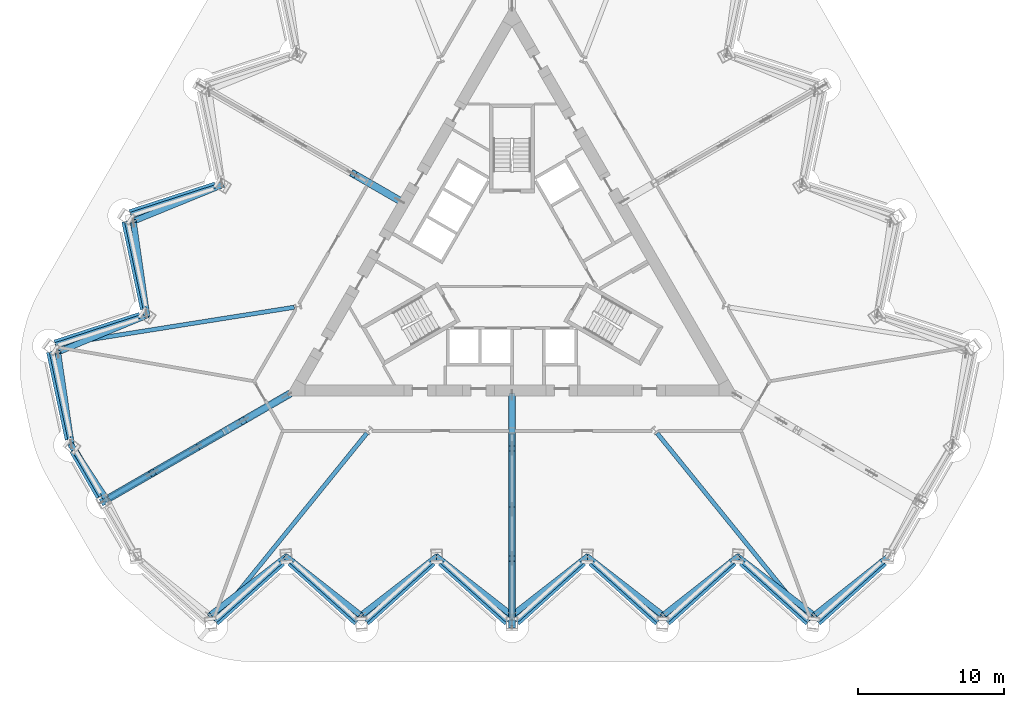
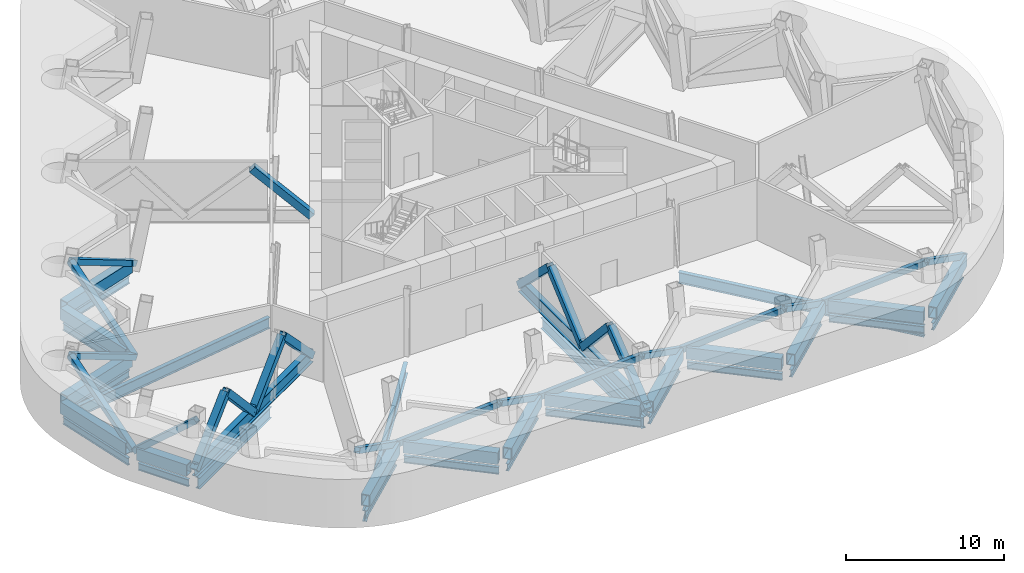
# One storey, part 2 of 13: 39 members, 19 beams.
"""IFC4 building model written with IfcOpenShell, lengths in metres."""

from ifc_helpers import new_model, si_unit, direction, frame, origin, origin_2d, place, context, subcontext, project, spatial, hollow_rectangle, i_section, extrude, material, material_profile, profile_set, type_object, element, save


model = new_model("IFC4")

# Units and contexts
model_context = context("Model", 3, precision=1e-05, world=origin(), true_north=direction((0.0, 1.0)))
body_context = subcontext(model_context, "Body", "Model", "MODEL_VIEW")
ifc_project = project(units=[si_unit("LENGTHUNIT", "METRE"), si_unit("AREAUNIT", "SQUARE_METRE"), si_unit("VOLUMEUNIT", "CUBIC_METRE"), si_unit("PLANEANGLEUNIT", "RADIAN"), si_unit("MASSUNIT", "GRAM", prefix="KILO")], contexts=[model_context])

# Site, building, storey
site_placement = place(None, origin())
site = spatial("IfcSite", under=ifc_project, at=site_placement, CompositionType="ELEMENT")
building_placement = place(site_placement, origin())
building = spatial("IfcBuilding", under=site, at=building_placement, Name="Cormorant Prow Tower", CompositionType="ELEMENT")
storey_placement = place(building_placement, frame((0.0, 0.0, 226.0)))
storey = spatial("IfcBuildingStorey", under=building, at=storey_placement, Name="L49", CompositionType="ELEMENT", Elevation=226.0)

# Members
ifc_material_1 = material(Name="Structural steel ASTM A572 Gr 50", Category="steel")
ifc_material_profile_1 = material_profile(ifc_material_1, hollow_rectangle(XDim=0.60009765625, YDim=0.89990234375, WallThickness=0.06005859375, at=origin_2d()), Name="Box 900x600x60")
ifc_profile_set_1 = profile_set([ifc_material_profile_1], Name="Structural steel ASTM A572 Gr 50")
member_type_1 = type_object("IfcMemberType", Name="Belt truss bottom chord 900x600x60", PredefinedType="CHORD", material=ifc_profile_set_1)
for number, where, z_axis, x_axis, name in (
    (1, (-20.361572265625, -24.453857421875, 0.449951171875), (0.743138178716, 0.669137988261, 0.0), (-0.669137988261, 0.743138178716, 0.0), "Belt truss bottom chord S01-S02 L49"),
    (2, (-15.19677734375, -20.3388671875, 0.449951171875), (0.743138178716, -0.669137988261, 0.0), (0.669137988261, 0.743138178716, 0.0), "Belt truss bottom chord S02-S03 L49"),
):
    element("IfcMember", number, at=place(storey_placement, frame(where, z_axis=z_axis, x_axis=x_axis)), inside=storey, type_object=member_type_1, Name=name, PredefinedType="CHORD", context=body_context, shape_type="SweptSolid", body=[
        extrude(hollow_rectangle(XDim=0.60009765625, YDim=0.89990234375, WallThickness=0.06005859375, at=origin_2d()), origin(), (0.0, 0.0, 1.0), 6.149658203125),
    ])
member_1_placement = place(storey_placement, frame((-10.0322265625, -24.453857421875, 0.449951171875), z_axis=(0.743155953285, 0.669118247469, 0.0), x_axis=(-0.669118247469, 0.743155953285, 0.0)))
element("IfcMember", 3, at=member_1_placement, inside=storey, type_object=member_type_1, Name="Belt truss bottom chord S03-S04 L49", PredefinedType="CHORD", context=body_context, shape_type="SweptSolid", body=[
    extrude(hollow_rectangle(XDim=0.60009765625, YDim=0.89990234375, WallThickness=0.06005859375, at=origin_2d()), origin(), (0.0, 0.0, 1.0), 6.14990234375),
])
for number, where, z_axis, x_axis, name in (
    (4, (-4.867431640625, -20.3388671875, 0.449951171875), (0.743138178716, -0.669137988261, 0.0), (0.669137988261, 0.743138178716, 0.0), "Belt truss bottom chord S04-S05 L49"),
    (5, (0.29736328125, -24.453857421875, 0.449951171875), (0.743138178716, 0.669137988261, 0.0), (-0.669137988261, 0.743138178716, 0.0), "Belt truss bottom chord S05-S06 L49"),
):
    element("IfcMember", number, at=place(storey_placement, frame(where, z_axis=z_axis, x_axis=x_axis)), inside=storey, type_object=member_type_1, Name=name, PredefinedType="CHORD", context=body_context, shape_type="SweptSolid", body=[
        extrude(hollow_rectangle(XDim=0.60009765625, YDim=0.89990234375, WallThickness=0.06005859375, at=origin_2d()), origin(), (0.0, 0.0, 1.0), 6.149658203125),
    ])
member_2_placement = place(storey_placement, frame((5.4619140625, -20.3388671875, 0.449951171875), z_axis=(0.743155953285, -0.669118247469, 0.0), x_axis=(0.669118247469, 0.743155953285, 0.0)))
element("IfcMember", 6, at=member_2_placement, inside=storey, type_object=member_type_1, Name="Belt truss bottom chord S06-S07 L49", PredefinedType="CHORD", context=body_context, shape_type="SweptSolid", body=[
    extrude(hollow_rectangle(XDim=0.60009765625, YDim=0.89990234375, WallThickness=0.06005859375, at=origin_2d()), origin(), (0.0, 0.0, 1.0), 6.14990234375),
])
for number, where, z_axis, x_axis, name in (
    (7, (10.626708984375, -24.453857421875, 0.449951171875), (0.743138178716, 0.669137988261, 0.0), (-0.669137988261, 0.743138178716, 0.0), "Belt truss bottom chord S07-S08 L49"),
    (8, (15.79150390625, -20.3388671875, 0.449951171875), (0.743138178716, -0.669137988261, 0.0), (0.669137988261, 0.743138178716, 0.0), "Belt truss bottom chord S08-S09 L49"),
):
    element("IfcMember", number, at=place(storey_placement, frame(where, z_axis=z_axis, x_axis=x_axis)), inside=storey, type_object=member_type_1, Name=name, PredefinedType="CHORD", context=body_context, shape_type="SweptSolid", body=[
        extrude(hollow_rectangle(XDim=0.60009765625, YDim=0.89990234375, WallThickness=0.06005859375, at=origin_2d()), origin(), (0.0, 0.0, 1.0), 6.149658203125),
    ])
for number, where, z_axis, x_axis, name in (
    (9, (20.9560546875, -24.453857421875, 0.449951171875), (0.743155953285, 0.669118247469, 0.0), (-0.669118247469, 0.743155953285, 0.0), "Belt truss bottom chord S09-ESE00 L49"),
    (10, (-20.344970703125, 5.439208984375, 0.449951171875), (-0.951057696564, -0.309013361859, 0.0), (0.309013361859, -0.951057696564, 0.0), "Belt truss bottom chord WNW06-WNW07 L49"),
):
    element("IfcMember", number, at=place(storey_placement, frame(where, z_axis=z_axis, x_axis=x_axis)), inside=storey, type_object=member_type_1, Name=name, PredefinedType="CHORD", context=body_context, shape_type="SweptSolid", body=[
        extrude(hollow_rectangle(XDim=0.60009765625, YDim=0.89990234375, WallThickness=0.06005859375, at=origin_2d()), origin(), (0.0, 0.0, 1.0), 6.14990234375),
    ])
member_3_placement = place(storey_placement, frame((-26.490966796875, 3.02392578125, 0.449951171875), z_axis=(0.207904811195, -0.978149063018, 0.0), x_axis=(0.978149063018, 0.207904811195, 0.0)))
element("IfcMember", 11, at=member_3_placement, inside=storey, type_object=member_type_1, Name="Belt truss bottom chord WNW07-WNW08 L49", PredefinedType="CHORD", context=body_context, shape_type="SweptSolid", body=[
    extrude(hollow_rectangle(XDim=0.60009765625, YDim=0.89990234375, WallThickness=0.06005859375, at=origin_2d()), origin(), (0.0, 0.0, 1.0), 6.149658203125),
])
member_4_placement = place(storey_placement, frame((-25.509765625, -3.50634765625, 0.449951171875), z_axis=(-0.951057696564, -0.309013361859, 0.0), x_axis=(0.309013361859, -0.951057696564, 0.0)))
element("IfcMember", 12, at=member_4_placement, inside=storey, type_object=member_type_1, Name="Belt truss bottom chord WNW08-WNW09 L49", PredefinedType="CHORD", context=body_context, shape_type="SweptSolid", body=[
    extrude(hollow_rectangle(XDim=0.60009765625, YDim=0.89990234375, WallThickness=0.06005859375, at=origin_2d()), origin(), (0.0, 0.0, 1.0), 6.14990234375),
])
member_5_placement = place(storey_placement, frame((-31.65576171875, -5.921630859375, 0.449951171875), z_axis=(0.207904811195, -0.978149063018, 0.0), x_axis=(0.978149063018, 0.207904811195, 0.0)))
element("IfcMember", 13, at=member_5_placement, inside=storey, type_object=member_type_1, Name="Belt truss bottom chord WNW09-WSW00 L49", PredefinedType="CHORD", context=body_context, shape_type="SweptSolid", body=[
    extrude(hollow_rectangle(XDim=0.60009765625, YDim=0.89990234375, WallThickness=0.06005859375, at=origin_2d()), origin(), (0.0, 0.0, 1.0), 6.149658203125),
])
member_6_placement = place(storey_placement, frame((-30.093994140625, -12.674560546875, 0.449951171875), z_axis=(0.499994986164, -0.866028298505, 0.0), x_axis=(0.866028298505, 0.499994986164, 0.0)))
element("IfcMember", 14, at=member_6_placement, inside=storey, type_object=member_type_1, Name="Belt truss bottom chord WSW00-WSW01 L49", PredefinedType="CHORD", context=body_context, shape_type="SweptSolid", body=[
    extrude(hollow_rectangle(XDim=0.60009765625, YDim=0.89990234375, WallThickness=0.06005859375, at=origin_2d()), origin(), (0.0, 0.0, 1.0), 3.67041015625),
])
ifc_material_2 = material(Name="Structural steel ASTM A500 Gr C", Category="steel")
ifc_material_profile_2 = material_profile(ifc_material_2, hollow_rectangle(XDim=0.406494140625, YDim=0.406494140625, WallThickness=0.014892578125, at=origin_2d()), Name="HSS16x16x5/8")
ifc_profile_set_2 = profile_set([ifc_material_profile_2], Name="Structural steel ASTM A500 Gr C")
member_type_2 = type_object("IfcMemberType", Name="Belt truss diagonal HSS16x16x5/8", PredefinedType="BRACE", material=ifc_profile_set_2)
member_7_placement = place(storey_placement, frame((-15.50048828125, -19.994140625, 0.449951171875), z_axis=(-0.689456369569, -0.530044492212, 0.493662587944), x_axis=(0.609489271848, -0.792794316013, 0.0)))
element("IfcMember", 15, at=member_7_placement, inside=storey, type_object=member_type_2, Name="Belt truss diagonal S01-S02 L49", PredefinedType="BRACE", context=body_context, shape_type="SweptSolid", body=[
    extrude(hollow_rectangle(XDim=0.406494140625, YDim=0.406494140625, WallThickness=0.014892578125, at=origin_2d()), origin(), (0.0, 0.0, 1.0), 7.59619140625),
])
member_8_placement = place(storey_placement, frame((-5.166748046875, -19.994140625, 0.449951171875), z_axis=(-0.687016586684, -0.531738199155, 0.49524003996), x_axis=(0.61206839215, -0.790804832642, 0.0)))
element("IfcMember", 16, at=member_8_placement, inside=storey, type_object=member_type_2, Name="Belt truss diagonal S03-S04 L49", PredefinedType="BRACE", context=body_context, shape_type="SweptSolid", body=[
    extrude(hollow_rectangle(XDim=0.406494140625, YDim=0.406494140625, WallThickness=0.014892578125, at=origin_2d()), origin(), (0.0, 0.0, 1.0), 7.572021484375),
])
member_9_placement = place(storey_placement, frame((5.166748046875, -19.994140625, 0.449951171875), z_axis=(-0.684536156706, -0.533448485394, 0.49683293328), x_axis=(0.614680898541, -0.788775882599, 0.0)))
element("IfcMember", 17, at=member_9_placement, inside=storey, type_object=member_type_2, Name="Belt truss diagonal S05-S06 L49", PredefinedType="BRACE", context=body_context, shape_type="SweptSolid", body=[
    extrude(hollow_rectangle(XDim=0.406494140625, YDim=0.406494140625, WallThickness=0.014892578125, at=origin_2d()), origin(), (0.0, 0.0, 1.0), 7.5478515625),
])
member_10_placement = place(storey_placement, frame((15.50048828125, -19.994140625, 0.449951171875), z_axis=(-0.682049075236, -0.535151688891, 0.498419230012), x_axis=(0.617290783123, -0.786735081886, 0.0)))
element("IfcMember", 18, at=member_10_placement, inside=storey, type_object=member_type_2, Name="Belt truss diagonal S07-S08 L49", PredefinedType="BRACE", context=body_context, shape_type="SweptSolid", body=[
    extrude(hollow_rectangle(XDim=0.406494140625, YDim=0.406494140625, WallThickness=0.014892578125, at=origin_2d()), origin(), (0.0, 0.0, 1.0), 7.523681640625),
])
member_11_placement = place(storey_placement, frame((25.834228515625, -19.994140625, 0.449951171875), z_axis=(-0.679538100871, -0.536859514231, 0.500009831348), x_axis=(0.619916033243, -0.78466815389, 0.0)))
element("IfcMember", 19, at=member_11_placement, inside=storey, type_object=member_type_2, Name="Belt truss diagonal S09-ESE00 L49", PredefinedType="BRACE", context=body_context, shape_type="SweptSolid", body=[
    extrude(hollow_rectangle(XDim=0.406494140625, YDim=0.406494140625, WallThickness=0.014892578125, at=origin_2d()), origin(), (0.0, 0.0, 1.0), 7.499755859375),
])
member_12_placement = place(storey_placement, frame((-25.065673828125, -3.4267578125, 0.449951171875), z_axis=(-0.122430667764, 0.858247742295, 0.498419045017), x_axis=(-0.9899779202, -0.141222227416, 0.0)))
element("IfcMember", 20, at=member_12_placement, inside=storey, type_object=member_type_2, Name="Belt truss diagonal WNW07-WNW08 L49", PredefinedType="BRACE", context=body_context, shape_type="SweptSolid", body=[
    extrude(hollow_rectangle(XDim=0.406494140625, YDim=0.406494140625, WallThickness=0.014892578125, at=origin_2d()), origin(), (0.0, 0.0, 1.0), 7.523681640625),
])
member_13_placement = place(storey_placement, frame((-30.232666015625, -12.3759765625, 0.449951171875), z_axis=(-0.125166195537, 0.856924559511, 0.500013722614), x_axis=(-0.989500302737, -0.144530795625, 0.0)))
element("IfcMember", 21, at=member_13_placement, inside=storey, type_object=member_type_2, Name="Belt truss diagonal WNW09-WSW00 L49", PredefinedType="BRACE", context=body_context, shape_type="SweptSolid", body=[
    extrude(hollow_rectangle(XDim=0.406494140625, YDim=0.406494140625, WallThickness=0.014892578125, at=origin_2d()), origin(), (0.0, 0.0, 1.0), 7.499755859375),
])
ifc_material_3 = material(Name="Structural steel ASTM A500 Gr C", Category="steel")
ifc_material_profile_3 = material_profile(ifc_material_3, hollow_rectangle(XDim=0.406494140625, YDim=0.406494140625, WallThickness=0.014892578125, at=origin_2d()), Name="HSS16x16x5/8")
ifc_profile_set_3 = profile_set([ifc_material_profile_3], Name="Structural steel ASTM A500 Gr C")
member_type_3 = type_object("IfcMemberType", Name="Belt truss strut HSS16x16x5/8", PredefinedType="STRUT", material=ifc_profile_set_3)
member_14_placement = place(storey_placement, frame((-15.50048828125, -19.994140625, 0.449951171875), z_axis=(0.682049075236, -0.535151688891, 0.498419230012), x_axis=(0.617290783123, 0.786735081886, 0.0)))
element("IfcMember", 22, at=member_14_placement, inside=storey, type_object=member_type_3, Name="Belt truss strut S02-S03 L49", PredefinedType="STRUT", context=body_context, shape_type="SweptSolid", body=[
    extrude(hollow_rectangle(XDim=0.406494140625, YDim=0.406494140625, WallThickness=0.014892578125, at=origin_2d()), origin(), (0.0, 0.0, 1.0), 7.523681640625),
])
member_15_placement = place(storey_placement, frame((-5.166748046875, -19.994140625, 0.449951171875), z_axis=(0.684536156706, -0.533448485394, 0.49683293328), x_axis=(0.614680898541, 0.788775882599, 0.0)))
element("IfcMember", 23, at=member_15_placement, inside=storey, type_object=member_type_3, Name="Belt truss strut S04-S05 L49", PredefinedType="STRUT", context=body_context, shape_type="SweptSolid", body=[
    extrude(hollow_rectangle(XDim=0.406494140625, YDim=0.406494140625, WallThickness=0.014892578125, at=origin_2d()), origin(), (0.0, 0.0, 1.0), 7.5478515625),
])
member_16_placement = place(storey_placement, frame((5.166748046875, -19.994140625, 0.449951171875), z_axis=(0.687016586684, -0.531738199155, 0.49524003996), x_axis=(0.61206839215, 0.790804832642, 0.0)))
element("IfcMember", 24, at=member_16_placement, inside=storey, type_object=member_type_3, Name="Belt truss strut S06-S07 L49", PredefinedType="STRUT", context=body_context, shape_type="SweptSolid", body=[
    extrude(hollow_rectangle(XDim=0.406494140625, YDim=0.406494140625, WallThickness=0.014892578125, at=origin_2d()), origin(), (0.0, 0.0, 1.0), 7.572021484375),
])
member_17_placement = place(storey_placement, frame((15.50048828125, -19.994140625, 0.449951171875), z_axis=(0.689456369569, -0.530044492212, 0.493662587944), x_axis=(0.609489271848, 0.792794316013, 0.0)))
element("IfcMember", 25, at=member_17_placement, inside=storey, type_object=member_type_3, Name="Belt truss strut S08-S09 L49", PredefinedType="STRUT", context=body_context, shape_type="SweptSolid", body=[
    extrude(hollow_rectangle(XDim=0.406494140625, YDim=0.406494140625, WallThickness=0.014892578125, at=origin_2d()), origin(), (0.0, 0.0, 1.0), 7.59619140625),
])
member_18_placement = place(storey_placement, frame((-19.89892578125, 5.5224609375, 0.449951171875), z_axis=(-0.804003782505, -0.329101163299, 0.495247758232), x_axis=(0.37882070608, -0.925470081983, 0.0)))
element("IfcMember", 26, at=member_18_placement, inside=storey, type_object=member_type_3, Name="Belt truss strut WNW06-WNW07 L49", PredefinedType="STRUT", context=body_context, shape_type="SweptSolid", body=[
    extrude(hollow_rectangle(XDim=0.406494140625, YDim=0.406494140625, WallThickness=0.014892578125, at=origin_2d()), origin(), (0.0, 0.0, 1.0), 7.572021484375),
])
member_19_placement = place(storey_placement, frame((-25.065673828125, -3.4267578125, 0.449951171875), z_axis=(-0.803765773497, -0.332060776991, 0.493655975086), x_axis=(0.381829470105, -0.924232793056, 0.0)))
element("IfcMember", 27, at=member_19_placement, inside=storey, type_object=member_type_3, Name="Belt truss strut WNW08-WNW09 L49", PredefinedType="STRUT", context=body_context, shape_type="SweptSolid", body=[
    extrude(hollow_rectangle(XDim=0.406494140625, YDim=0.406494140625, WallThickness=0.014892578125, at=origin_2d()), origin(), (0.0, 0.0, 1.0), 7.596435546875),
])
member_20_placement = place(storey_placement, frame((-30.232666015625, -12.3759765625, 0.449951171875), z_axis=(0.416777436303, -0.637277851925, 0.648207920374), x_axis=(0.836912005991, 0.547337459186, 0.0)))
element("IfcMember", 28, at=member_20_placement, inside=storey, type_object=member_type_3, Name="Belt truss strut WSW00-WSW01 L49", PredefinedType="STRUT", context=body_context, shape_type="SweptSolid", body=[
    extrude(hollow_rectangle(XDim=0.406494140625, YDim=0.406494140625, WallThickness=0.014892578125, at=origin_2d()), origin(), (0.0, 0.0, 1.0), 5.78515625),
])
ifc_material_4 = material(Name="Structural steel ASTM A992 Gr 50", Category="steel")
ifc_material_profile_4 = material_profile(ifc_material_4, i_section(OverallWidth=0.39990234375, OverallDepth=1.000244140625, WebThickness=0.01904296875, FlangeThickness=0.0361328125, at=origin_2d()), Name="W40x249")
ifc_profile_set_4 = profile_set([ifc_material_profile_4], Name="Structural steel ASTM A992 Gr 50")
member_type_4 = type_object("IfcMemberType", Name="Outrigger chord W40x249", PredefinedType="CHORD", material=ifc_profile_set_4)
member_21_placement = place(storey_placement, frame((-15.3701171875, -8.873779296875, 0.500244140625), z_axis=(-0.866022701949, -0.500004679687, 0.0), x_axis=(0.500004679687, -0.866022701949, 0.0)))
element("IfcMember", 29, at=member_21_placement, inside=storey, type_object=member_type_4, Name="Outrigger bottom chord 3 L49", PredefinedType="CHORD", context=body_context, shape_type="SweptSolid", body=[
    extrude(i_section(OverallWidth=0.39990234375, OverallDepth=1.000244140625, WebThickness=0.01904296875, FlangeThickness=0.0361328125, at=origin_2d()), origin(), (0.0, 0.0, 1.0), 14.651611328125),
])
member_22_placement = place(storey_placement, frame((0.0, -8.798828125, 0.500244140625), z_axis=(0.0, -1.0, 0.0), x_axis=(1.0, 0.0, 0.0)))
element("IfcMember", 30, at=member_22_placement, inside=storey, type_object=member_type_4, Name="Outrigger bottom chord 4 L49", PredefinedType="CHORD", context=body_context, shape_type="SweptSolid", body=[
    extrude(i_section(OverallWidth=0.39990234375, OverallDepth=1.000244140625, WebThickness=0.01904296875, FlangeThickness=0.0361328125, at=origin_2d()), origin(), (0.0, 0.0, 1.0), 15.9228515625),
])
ifc_material_5 = material(Name="Structural steel ASTM A500 Gr C", Category="steel")
ifc_material_profile_5 = material_profile(ifc_material_5, hollow_rectangle(XDim=0.508056640625, YDim=0.508056640625, WallThickness=0.014892578125, at=origin_2d()), Name="HSS20x20x5/8")
ifc_profile_set_5 = profile_set([ifc_material_profile_5], Name="Structural steel ASTM A500 Gr C")
member_type_5 = type_object("IfcMemberType", Name="Outrigger diagonal HSS20x20x5/8", PredefinedType="BRACE", material=ifc_profile_set_5)
member_23_placement = place(storey_placement, frame((-7.6201171875, 4.3994140625, 0.500244140625), z_axis=(-0.62237767211, 0.359332400377, 0.695360524691), x_axis=(-0.500002592159, -0.866023907196, 0.0)))
element("IfcMember", 31, at=member_23_placement, inside=storey, type_object=member_type_5, Name="Outrigger diagonal 2.1 L49", PredefinedType="BRACE", context=body_context, shape_type="SweptSolid", body=[
    extrude(hollow_rectangle(XDim=0.508056640625, YDim=0.508056640625, WallThickness=0.014892578125, at=origin_2d()), origin(), (0.0, 0.0, 1.0), 5.24853515625),
])
member_24_placement = place(storey_placement, frame((-15.3701171875, -8.873779296875, 0.500244140625), z_axis=(-0.606559318342, -0.350213523303, 0.713748051786), x_axis=(0.500017494386, -0.86601530316, 0.0)))
element("IfcMember", 32, at=member_24_placement, inside=storey, type_object=member_type_5, Name="Outrigger diagonal 3.1 L49", PredefinedType="BRACE", context=body_context, shape_type="SweptSolid", body=[
    extrude(hollow_rectangle(XDim=0.508056640625, YDim=0.508056640625, WallThickness=0.014892578125, at=origin_2d()), origin(), (0.0, 0.0, 1.0), 5.11328125),
])
member_25_placement = place(storey_placement, frame((-21.71435546875, -12.536865234375, 0.500244140625), z_axis=(-0.592022041039, -0.341806556928, 0.729848053067), x_axis=(0.500002712257, -0.866023837856, 0.0)))
element("IfcMember", 33, at=member_25_placement, inside=storey, type_object=member_type_5, Name="Outrigger diagonal 3.3 L49", PredefinedType="BRACE", context=body_context, shape_type="SweptSolid", body=[
    extrude(hollow_rectangle(XDim=0.508056640625, YDim=0.508056640625, WallThickness=0.014892578125, at=origin_2d()), origin(), (0.0, 0.0, 1.0), 5.00048828125),
])
member_26_placement = place(storey_placement, frame((0.0, -8.798828125, 0.500244140625), z_axis=(0.0, -0.718685366654, 0.695335418167), x_axis=(1.0, 0.0, 0.0)))
element("IfcMember", 34, at=member_26_placement, inside=storey, type_object=member_type_5, Name="Outrigger diagonal 4.1 L49", PredefinedType="BRACE", context=body_context, shape_type="SweptSolid", body=[
    extrude(hollow_rectangle(XDim=0.508056640625, YDim=0.508056640625, WallThickness=0.014892578125, at=origin_2d()), origin(), (0.0, 0.0, 1.0), 5.248779296875),
])
member_27_placement = place(storey_placement, frame((0.0, -16.76025390625, 0.500244140625), z_axis=(0.0, -0.676734254482, 0.736227375755), x_axis=(1.0, 0.0, 0.0)))
element("IfcMember", 35, at=member_27_placement, inside=storey, type_object=member_type_5, Name="Outrigger diagonal 4.3 L49", PredefinedType="BRACE", context=body_context, shape_type="SweptSolid", body=[
    extrude(hollow_rectangle(XDim=0.508056640625, YDim=0.508056640625, WallThickness=0.014892578125, at=origin_2d()), origin(), (0.0, 0.0, 1.0), 4.957275390625),
])
ifc_material_6 = material(Name="Structural steel ASTM A500 Gr C", Category="steel")
ifc_material_profile_6 = material_profile(ifc_material_6, hollow_rectangle(XDim=0.508056640625, YDim=0.508056640625, WallThickness=0.014892578125, at=origin_2d()), Name="HSS20x20x5/8")
ifc_profile_set_6 = profile_set([ifc_material_profile_6], Name="Structural steel ASTM A500 Gr C")
member_type_6 = type_object("IfcMemberType", Name="Outrigger strut HSS20x20x5/8", PredefinedType="STRUT", material=ifc_profile_set_6)
member_28_placement = place(storey_placement, frame((-18.4716796875, -10.66455078125, 4.14990234375), z_axis=(-0.620154931074, -0.358076205873, -0.697989464284), x_axis=(0.500030989569, -0.866007511209, 0.0)))
element("IfcMember", 36, at=member_28_placement, inside=storey, type_object=member_type_6, Name="Outrigger strut 3.2 L49", PredefinedType="STRUT", context=body_context, shape_type="SweptSolid", body=[
    extrude(hollow_rectangle(XDim=0.508056640625, YDim=0.508056640625, WallThickness=0.014892578125, at=origin_2d()), origin(), (0.0, 0.0, 1.0), 5.228759765625),
])
member_29_placement = place(storey_placement, frame((-24.6748046875, -14.24609375, 4.14990234375), z_axis=(-0.632907907487, -0.365379776042, -0.682587137221), x_axis=(0.499969442888, -0.866043045223, 0.0)))
element("IfcMember", 37, at=member_29_placement, inside=storey, type_object=member_type_6, Name="Outrigger strut 3.4 L49", PredefinedType="STRUT", context=body_context, shape_type="SweptSolid", body=[
    extrude(hollow_rectangle(XDim=0.508056640625, YDim=0.508056640625, WallThickness=0.014892578125, at=origin_2d()), origin(), (0.0, 0.0, 1.0), 5.346923828125),
])
member_30_placement = place(storey_placement, frame((0.0, -12.571044921875, 4.14990234375), z_axis=(0.0, -0.753993133918, -0.656882298441), x_axis=(1.0, 0.0, 0.0)))
element("IfcMember", 38, at=member_30_placement, inside=storey, type_object=member_type_6, Name="Outrigger strut 4.2 L49", PredefinedType="STRUT", context=body_context, shape_type="SweptSolid", body=[
    extrude(hollow_rectangle(XDim=0.508056640625, YDim=0.508056640625, WallThickness=0.014892578125, at=origin_2d()), origin(), (0.0, 0.0, 1.0), 5.55615234375),
])
member_31_placement = place(storey_placement, frame((0.0, -20.114990234375, 4.14990234375), z_axis=(0.0, -0.783822555997, -0.620984863512), x_axis=(1.0, 0.0, 0.0)))
element("IfcMember", 39, at=member_31_placement, inside=storey, type_object=member_type_6, Name="Outrigger strut 4.4 L49", PredefinedType="STRUT", context=body_context, shape_type="SweptSolid", body=[
    extrude(hollow_rectangle(XDim=0.508056640625, YDim=0.508056640625, WallThickness=0.014892578125, at=origin_2d()), origin(), (0.0, 0.0, 1.0), 5.877197265625),
])

# Beams
ifc_material_7 = material(Name="Structural steel ASTM A992 Gr 50", Category="steel")
ifc_material_profile_7 = material_profile(ifc_material_7, i_section(OverallWidth=0.29296875, OverallDepth=0.845703125, WebThickness=0.015380859375, FlangeThickness=0.0244140625, at=origin_2d()), Name="W33x141")
ifc_profile_set_7 = profile_set([ifc_material_profile_7], Name="Structural steel ASTM A992 Gr 50")
beam_type_1 = type_object("IfcBeamType", Name="Radial floor beam W33x141", PredefinedType="BEAM", material=ifc_profile_set_7)
beam_1_placement = place(storey_placement, frame((-14.94384765625, -2.869140625, -0.77294921875), z_axis=(-0.987678058302, -0.156499371084, 0.0), x_axis=(0.156499371084, -0.987678058302, 0.0)))
element("IfcBeam", 40, at=beam_1_placement, inside=storey, type_object=beam_type_1, Name="Radial floor beam FB2 4 L49", PredefinedType="BEAM", context=body_context, shape_type="SweptSolid", body=[
    extrude(i_section(OverallWidth=0.29296875, OverallDepth=0.845703125, WebThickness=0.015380859375, FlangeThickness=0.0244140625, at=origin_2d()), origin(), (0.0, 0.0, 1.0), 16.604736328125),
])
beam_2_placement = place(storey_placement, frame((-19.833251953125, -11.45068359375, -0.77294921875), z_axis=(-0.866023373109, -0.500003517217, 0.0), x_axis=(0.500003517217, -0.866023373109, 0.0)))
element("IfcBeam", 41, at=beam_2_placement, inside=storey, type_object=beam_type_1, Name="Radial floor beam FB2 5 L49", PredefinedType="BEAM", context=body_context, shape_type="SweptSolid", body=[
    extrude(i_section(OverallWidth=0.29296875, OverallDepth=0.845703125, WebThickness=0.015380859375, FlangeThickness=0.0244140625, at=origin_2d()), origin(), (0.0, 0.0, 1.0), 9.09814453125),
])
beam_3_placement = place(storey_placement, frame((-9.95654296875, -11.50732421875, -0.77294921875), z_axis=(-0.629385162657, -0.777093505974, 0.0), x_axis=(0.777093505974, -0.629385162657, 0.0)))
element("IfcBeam", 42, at=beam_3_placement, inside=storey, type_object=beam_type_1, Name="Radial floor beam FB2 6 L49", PredefinedType="BEAM", context=body_context, shape_type="SweptSolid", body=[
    extrude(i_section(OverallWidth=0.29296875, OverallDepth=0.845703125, WebThickness=0.015380859375, FlangeThickness=0.0244140625, at=origin_2d()), origin(), (0.0, 0.0, 1.0), 16.6044921875),
])
beam_4_placement = place(storey_placement, frame((0.0, -11.552734375, -0.77294921875), z_axis=(0.0, -1.0, 0.0), x_axis=(1.0, 0.0, 0.0)))
element("IfcBeam", 43, at=beam_4_placement, inside=storey, type_object=beam_type_1, Name="Radial floor beam FB2 7 L49", PredefinedType="BEAM", context=body_context, shape_type="SweptSolid", body=[
    extrude(i_section(OverallWidth=0.29296875, OverallDepth=0.845703125, WebThickness=0.015380859375, FlangeThickness=0.0244140625, at=origin_2d()), origin(), (0.0, 0.0, 1.0), 12.768798828125),
])
beam_5_placement = place(storey_placement, frame((9.95654296875, -11.50732421875, -0.77294921875), z_axis=(0.629385162657, -0.777093505974, 0.0), x_axis=(0.777093505974, 0.629385162657, 0.0)))
element("IfcBeam", 44, at=beam_5_placement, inside=storey, type_object=beam_type_1, Name="Radial floor beam FB2 8 L49", PredefinedType="BEAM", context=body_context, shape_type="SweptSolid", body=[
    extrude(i_section(OverallWidth=0.29296875, OverallDepth=0.845703125, WebThickness=0.015380859375, FlangeThickness=0.0244140625, at=origin_2d()), origin(), (0.0, 0.0, 1.0), 16.6044921875),
])
ifc_material_8 = material(Name="Structural steel ASTM A992 Gr 50", Category="steel")
ifc_material_profile_8 = material_profile(ifc_material_8, i_section(OverallWidth=0.2138671875, OverallDepth=0.549072265625, WebThickness=0.0146484375, FlangeThickness=0.023681640625, at=origin_2d()), Name="W21x93")
ifc_profile_set_8 = profile_set([ifc_material_profile_8], Name="Structural steel ASTM A992 Gr 50")
beam_type_2 = type_object("IfcBeamType", Name="Spandrel beam W21x93", PredefinedType="SPANDREL", material=ifc_profile_set_8)
for number, where, z_axis, x_axis, name in (
    (45, (-20.361572265625, -24.453857421875, -0.62451171875), (0.743138178716, 0.669137988261, 0.0), (-0.669137988261, 0.743138178716, 0.0), "Spandrel beam SB2 S01-S02 L49"),
    (46, (-15.19677734375, -20.3388671875, -0.62451171875), (0.743138178716, -0.669137988261, 0.0), (0.669137988261, 0.743138178716, 0.0), "Spandrel beam SB2 S02-S03 L49"),
):
    element("IfcBeam", number, at=place(storey_placement, frame(where, z_axis=z_axis, x_axis=x_axis)), inside=storey, type_object=beam_type_2, Name=name, PredefinedType="SPANDREL", context=body_context, shape_type="SweptSolid", body=[
        extrude(i_section(OverallWidth=0.2138671875, OverallDepth=0.549072265625, WebThickness=0.0146484375, FlangeThickness=0.023681640625, at=origin_2d()), origin(), (0.0, 0.0, 1.0), 6.149658203125),
    ])
beam_6_placement = place(storey_placement, frame((-10.0322265625, -24.453857421875, -0.62451171875), z_axis=(0.743155953285, 0.669118247469, 0.0), x_axis=(-0.669118247469, 0.743155953285, 0.0)))
element("IfcBeam", 47, at=beam_6_placement, inside=storey, type_object=beam_type_2, Name="Spandrel beam SB2 S03-S04 L49", PredefinedType="SPANDREL", context=body_context, shape_type="SweptSolid", body=[
    extrude(i_section(OverallWidth=0.2138671875, OverallDepth=0.549072265625, WebThickness=0.0146484375, FlangeThickness=0.023681640625, at=origin_2d()), origin(), (0.0, 0.0, 1.0), 6.14990234375),
])
for number, where, z_axis, x_axis, name in (
    (48, (-4.867431640625, -20.3388671875, -0.62451171875), (0.743138178716, -0.669137988261, 0.0), (0.669137988261, 0.743138178716, 0.0), "Spandrel beam SB2 S04-S05 L49"),
    (49, (0.29736328125, -24.453857421875, -0.62451171875), (0.743138178716, 0.669137988261, 0.0), (-0.669137988261, 0.743138178716, 0.0), "Spandrel beam SB2 S05-S06 L49"),
):
    element("IfcBeam", number, at=place(storey_placement, frame(where, z_axis=z_axis, x_axis=x_axis)), inside=storey, type_object=beam_type_2, Name=name, PredefinedType="SPANDREL", context=body_context, shape_type="SweptSolid", body=[
        extrude(i_section(OverallWidth=0.2138671875, OverallDepth=0.549072265625, WebThickness=0.0146484375, FlangeThickness=0.023681640625, at=origin_2d()), origin(), (0.0, 0.0, 1.0), 6.149658203125),
    ])
beam_7_placement = place(storey_placement, frame((5.4619140625, -20.3388671875, -0.62451171875), z_axis=(0.743155953285, -0.669118247469, 0.0), x_axis=(0.669118247469, 0.743155953285, 0.0)))
element("IfcBeam", 50, at=beam_7_placement, inside=storey, type_object=beam_type_2, Name="Spandrel beam SB2 S06-S07 L49", PredefinedType="SPANDREL", context=body_context, shape_type="SweptSolid", body=[
    extrude(i_section(OverallWidth=0.2138671875, OverallDepth=0.549072265625, WebThickness=0.0146484375, FlangeThickness=0.023681640625, at=origin_2d()), origin(), (0.0, 0.0, 1.0), 6.14990234375),
])
for number, where, z_axis, x_axis, name in (
    (51, (10.626708984375, -24.453857421875, -0.62451171875), (0.743138178716, 0.669137988261, 0.0), (-0.669137988261, 0.743138178716, 0.0), "Spandrel beam SB2 S07-S08 L49"),
    (52, (15.79150390625, -20.3388671875, -0.62451171875), (0.743138178716, -0.669137988261, 0.0), (0.669137988261, 0.743138178716, 0.0), "Spandrel beam SB2 S08-S09 L49"),
):
    element("IfcBeam", number, at=place(storey_placement, frame(where, z_axis=z_axis, x_axis=x_axis)), inside=storey, type_object=beam_type_2, Name=name, PredefinedType="SPANDREL", context=body_context, shape_type="SweptSolid", body=[
        extrude(i_section(OverallWidth=0.2138671875, OverallDepth=0.549072265625, WebThickness=0.0146484375, FlangeThickness=0.023681640625, at=origin_2d()), origin(), (0.0, 0.0, 1.0), 6.149658203125),
    ])
for number, where, z_axis, x_axis, name in (
    (53, (20.9560546875, -24.453857421875, -0.62451171875), (0.743155953285, 0.669118247469, 0.0), (-0.669118247469, 0.743155953285, 0.0), "Spandrel beam SB2 S09-ESE00 L49"),
    (54, (-20.344970703125, 5.439208984375, -0.62451171875), (-0.951057696564, -0.309013361859, 0.0), (0.309013361859, -0.951057696564, 0.0), "Spandrel beam SB2 WNW06-WNW07 L49"),
):
    element("IfcBeam", number, at=place(storey_placement, frame(where, z_axis=z_axis, x_axis=x_axis)), inside=storey, type_object=beam_type_2, Name=name, PredefinedType="SPANDREL", context=body_context, shape_type="SweptSolid", body=[
        extrude(i_section(OverallWidth=0.2138671875, OverallDepth=0.549072265625, WebThickness=0.0146484375, FlangeThickness=0.023681640625, at=origin_2d()), origin(), (0.0, 0.0, 1.0), 6.14990234375),
    ])
beam_8_placement = place(storey_placement, frame((-26.490966796875, 3.02392578125, -0.62451171875), z_axis=(0.207904811195, -0.978149063018, 0.0), x_axis=(0.978149063018, 0.207904811195, 0.0)))
element("IfcBeam", 55, at=beam_8_placement, inside=storey, type_object=beam_type_2, Name="Spandrel beam SB2 WNW07-WNW08 L49", PredefinedType="SPANDREL", context=body_context, shape_type="SweptSolid", body=[
    extrude(i_section(OverallWidth=0.2138671875, OverallDepth=0.549072265625, WebThickness=0.0146484375, FlangeThickness=0.023681640625, at=origin_2d()), origin(), (0.0, 0.0, 1.0), 6.149658203125),
])
beam_9_placement = place(storey_placement, frame((-25.509765625, -3.50634765625, -0.62451171875), z_axis=(-0.951057696564, -0.309013361859, 0.0), x_axis=(0.309013361859, -0.951057696564, 0.0)))
element("IfcBeam", 56, at=beam_9_placement, inside=storey, type_object=beam_type_2, Name="Spandrel beam SB2 WNW08-WNW09 L49", PredefinedType="SPANDREL", context=body_context, shape_type="SweptSolid", body=[
    extrude(i_section(OverallWidth=0.2138671875, OverallDepth=0.549072265625, WebThickness=0.0146484375, FlangeThickness=0.023681640625, at=origin_2d()), origin(), (0.0, 0.0, 1.0), 6.14990234375),
])
beam_10_placement = place(storey_placement, frame((-31.65576171875, -5.921630859375, -0.62451171875), z_axis=(0.207904811195, -0.978149063018, 0.0), x_axis=(0.978149063018, 0.207904811195, 0.0)))
element("IfcBeam", 57, at=beam_10_placement, inside=storey, type_object=beam_type_2, Name="Spandrel beam SB2 WNW09-WSW00 L49", PredefinedType="SPANDREL", context=body_context, shape_type="SweptSolid", body=[
    extrude(i_section(OverallWidth=0.2138671875, OverallDepth=0.549072265625, WebThickness=0.0146484375, FlangeThickness=0.023681640625, at=origin_2d()), origin(), (0.0, 0.0, 1.0), 6.149658203125),
])
beam_11_placement = place(storey_placement, frame((-30.093994140625, -12.674560546875, -0.62451171875), z_axis=(0.499994986164, -0.866028298505, 0.0), x_axis=(0.866028298505, 0.499994986164, 0.0)))
element("IfcBeam", 58, at=beam_11_placement, inside=storey, type_object=beam_type_2, Name="Spandrel beam SB2 WSW00-WSW01 L49", PredefinedType="SPANDREL", context=body_context, shape_type="SweptSolid", body=[
    extrude(i_section(OverallWidth=0.2138671875, OverallDepth=0.549072265625, WebThickness=0.0146484375, FlangeThickness=0.023681640625, at=origin_2d()), origin(), (0.0, 0.0, 1.0), 3.67041015625),
])

save(model, "model.ifc")
